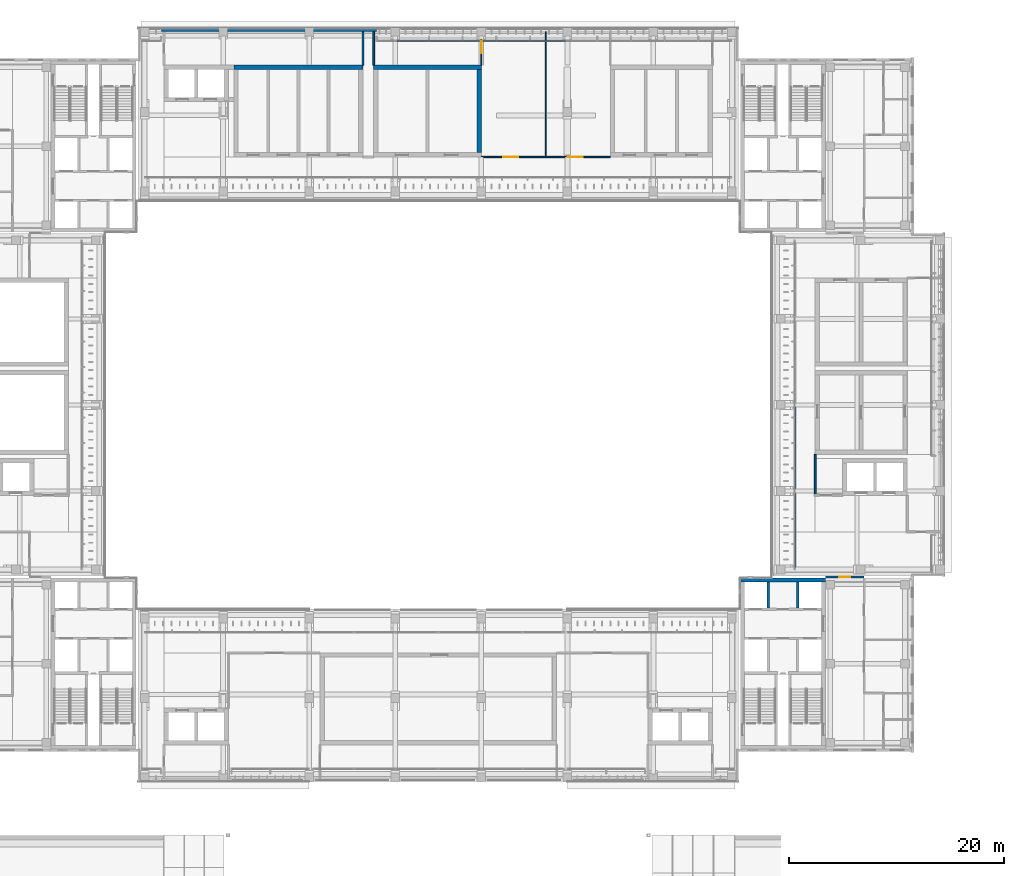
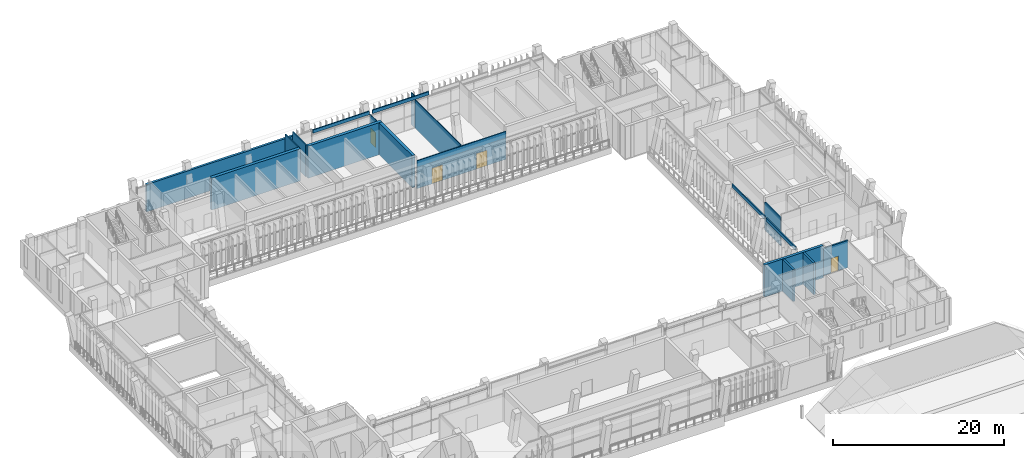
# One storey, part 65 of 89: 19 walls, 4 doors, 4 openings.
"""IFC4 building model written with IfcOpenShell, lengths in metres."""

from ifc_helpers import new_model, si_unit, direction, frame, frame_2d, origin, place, context, subcontext, project, spatial, rectangle, extrude, material, layer, layer_set, type_object, element, fill, save


model = new_model("IFC4")

# Units and contexts
model_context = context("Model", 3, precision=1e-05, world=origin(), true_north=direction((0.0, 1.0)))
body_context = subcontext(model_context, "Body", "Model", "MODEL_VIEW")
ifc_project = project(units=[si_unit("LENGTHUNIT", "METRE"), si_unit("AREAUNIT", "SQUARE_METRE"), si_unit("VOLUMEUNIT", "CUBIC_METRE"), si_unit("PLANEANGLEUNIT", "RADIAN"), si_unit("MASSUNIT", "GRAM", prefix="KILO")], contexts=[model_context])

# Site, building, storey
site_placement = place(None, origin())
site = spatial("IfcSite", under=ifc_project, at=site_placement, CompositionType="ELEMENT")
building_placement = place(site_placement, origin())
building = spatial("IfcBuilding", under=site, at=building_placement, Name="Lantern Court Media Centre", CompositionType="ELEMENT")
storey_placement = place(building_placement, frame((0.0, 0.0, 14.39990234375)))
storey = spatial("IfcBuildingStorey", under=building, at=storey_placement, Name="L03", CompositionType="ELEMENT", Elevation=14.39990234375)

# Wall, openings, doors
ifc_material_1 = material(Name="Gypsum board partition")
ifc_layer_1 = layer(ifc_material_1, 0.125)
ifc_layer_set_1 = layer_set([ifc_layer_1], Name="Gypsum board partition")
wall_type_1 = type_object("IfcWallType", Name="Corridor partition 125", PredefinedType="PARTITIONING", material=ifc_layer_set_1)
wall_1_placement = place(storey_placement, frame((56.0, 103.050048828125, 0.0), z_axis=(0.0, 0.0, 1.0), x_axis=(1.0, 0.0, 0.0)))
wall_1 = element("IfcWall", 1, at=wall_1_placement, inside=storey, type_object=wall_type_1, Name="L03 partition 025", PredefinedType="PARTITIONING", context=body_context, shape_type="SweptSolid", body=[
    extrude(rectangle(XDim=11.9951171875, YDim=0.125, at=frame_2d((5.99755859375, 0.0))), origin(), (0.0, 0.0, 1.0), 3.97998046875),
])
opening_1_placement = place(wall_1_placement, frame((2.02490234375, 0.0, 0.0)))
opening_1 = element("IfcOpeningElement", 2, at=opening_1_placement, cuts=wall_1, Name="Opening L03-019", PredefinedType="OPENING", context=body_context, shape_type="SweptSolid", body=[
    extrude(rectangle(XDim=1.39990234375, YDim=2.199951171875, at=frame_2d((0.699951171875, 1.10009765625))), frame((0.0, 0.072509765625, 0.0), z_axis=(0.0, -1.0, 0.0), x_axis=(1.0, 0.0, 0.0)), (0.0, 0.0, 1.0), 0.14501953125),
])
opening_2_placement = place(wall_1_placement, frame((8.02490234375, 0.0, 0.0)))
opening_2 = element("IfcOpeningElement", 3, at=opening_2_placement, cuts=wall_1, Name="Opening L03-020", PredefinedType="OPENING", context=body_context, shape_type="SweptSolid", body=[
    extrude(rectangle(XDim=1.39990234375, YDim=2.199951171875, at=frame_2d((0.699951171875, 1.10009765625))), frame((0.0, 0.072509765625, 0.0), z_axis=(0.0, -1.0, 0.0), x_axis=(1.0, 0.0, 0.0)), (0.0, 0.0, 1.0), 0.14501953125),
])
ifc_material_2 = material(Name="Solid-core timber door leaf", Category="wood")
door_type_1 = type_object("IfcDoorType", Name="Double door 1400x2200", OperationType="NOTDEFINED", PredefinedType="DOOR", material=ifc_material_2)
door_1_placement = place(opening_1_placement, origin())
door_1 = element("IfcDoor", 4, at=door_1_placement, inside=storey, type_object=door_type_1, Name="L03 Production Office 03 door", OperationType="DOUBLE_DOOR_SINGLE_SWING", OverallHeight=2.199951171875, OverallWidth=1.39990234375, PredefinedType="DOOR", context=body_context, shape_type="SweptSolid", body=[
    extrude(rectangle(XDim=1.39990234375, YDim=2.199951171875, at=frame_2d((0.699951171875, 1.10009765625))), frame((0.0, 0.02490234375, 0.0), z_axis=(0.0, -1.0, 0.0), x_axis=(1.0, 0.0, 0.0)), (0.0, 0.0, 1.0), 0.050048828125),
])
fill(opening_1, door_1)
door_2_placement = place(opening_2_placement, origin())
door_2 = element("IfcDoor", 5, at=door_2_placement, inside=storey, type_object=door_type_1, Name="L03 Production Office 04 door", OperationType="DOUBLE_DOOR_SINGLE_SWING", OverallHeight=2.199951171875, OverallWidth=1.39990234375, PredefinedType="DOOR", context=body_context, shape_type="SweptSolid", body=[
    extrude(rectangle(XDim=1.39990234375, YDim=2.199951171875, at=frame_2d((0.699951171875, 1.10009765625))), frame((0.0, 0.02490234375, 0.0), z_axis=(0.0, -1.0, 0.0), x_axis=(1.0, 0.0, 0.0)), (0.0, 0.0, 1.0), 0.050048828125),
])
fill(opening_2, door_2)

# Walls
ifc_material_3 = material(Name="Insulated rendered blockwork", Category="masonry")
ifc_layer_2 = layer(ifc_material_3, 0.14990234375)
ifc_layer_set_2 = layer_set([ifc_layer_2], Name="Insulated rendered blockwork")
wall_type_2 = type_object("IfcWallType", Name="Head infill wall 150", PredefinedType="SOLIDWALL", material=ifc_layer_set_2)
for number, where, z_axis, x_axis, name in (
    (6, (48.199951171875, 113.85009765625, 4.10009765625), (0.0, 0.0, 1.0), (1.0, 0.0, 0.0), "Head infill wall N outer L03"),
    (7, (56.199951171875, 113.85009765625, 4.10009765625), (0.0, 0.0, 1.0), (1.0, 0.0, 0.0), "Head infill wall N outer L03"),
):
    element("IfcWall", number, at=place(storey_placement, frame(where, z_axis=z_axis, x_axis=x_axis)), inside=storey, type_object=wall_type_2, Name=name, PredefinedType="SOLIDWALL", context=body_context, shape_type="SweptSolid", body=[
        extrude(rectangle(XDim=7.60009765625, YDim=0.14990234375, at=frame_2d((3.800048828125, 0.0))), origin(), (0.0, 0.0, 1.0), 0.47998046875),
    ])
wall_2_placement = place(storey_placement, frame((85.14990234375, 64.89990234375, 4.10009765625), z_axis=(0.0, 0.0, 1.0), x_axis=(0.0, 1.0, 0.0)))
element("IfcWall", 8, at=wall_2_placement, inside=storey, type_object=wall_type_2, Name="Head infill wall E inner L03", PredefinedType="SOLIDWALL", context=body_context, shape_type="SweptSolid", body=[
    extrude(rectangle(XDim=6.900146484375, YDim=0.14990234375, at=frame_2d((3.4501953125, 0.0))), origin(), (0.0, 0.0, 1.0), 0.47998046875),
])
wall_3_placement = place(storey_placement, frame((85.14990234375, 72.199951171875, 4.10009765625), z_axis=(0.0, 0.0, 1.0), x_axis=(0.0, 1.0, 0.0)))
element("IfcWall", 9, at=wall_3_placement, inside=storey, type_object=wall_type_2, Name="Head infill wall E inner L03", PredefinedType="SOLIDWALL", context=body_context, shape_type="SweptSolid", body=[
    extrude(rectangle(XDim=7.60009765625, YDim=0.14990234375, at=frame_2d((3.800048828125, 0.0))), origin(), (0.0, 0.0, 1.0), 0.47998046875),
])
ifc_material_4 = material(Name="Honed limestone cladding on blockwork", Category="masonry")
ifc_layer_3 = layer(ifc_material_4, 0.300048828125)
ifc_layer_set_3 = layer_set([ifc_layer_3], Name="Honed limestone cladding on blockwork")
wall_type_3 = type_object("IfcWallType", Name="Limestone flank wall 300", PredefinedType="SOLIDWALL", material=ifc_layer_set_3)
wall_4_placement = place(storey_placement, frame((26.25, 114.85009765625, 0.0), z_axis=(0.0, 0.0, 1.0), x_axis=(1.0, 0.0, 0.0)))
element("IfcWall", 10, at=wall_4_placement, inside=storey, type_object=wall_type_3, Name="Limestone flank wall N outer L03", PredefinedType="SOLIDWALL", context=body_context, shape_type="SweptSolid", body=[
    extrude(rectangle(XDim=20.0, YDim=0.300048828125, at=frame_2d((10.0, 0.0))), origin(), (0.0, 0.0, 1.0), 3.900146484375),
])

# Wall, opening, door
ifc_material_5 = material(Name="Fire-rated gypsum board")
ifc_layer_4 = layer(ifc_material_5, 0.199951171875)
ifc_layer_set_4 = layer_set([ifc_layer_4], Name="Fire-rated gypsum board")
wall_type_4 = type_object("IfcWallType", Name="Movement-joint compartment wall 200", PredefinedType="PARTITIONING", material=ifc_layer_set_4)
wall_5_placement = place(storey_placement, frame((88.0, 64.0, 0.0), z_axis=(0.0, 0.0, 1.0), x_axis=(1.0, 0.0, 0.0)))
wall_5 = element("IfcWall", 11, at=wall_5_placement, inside=storey, type_object=wall_type_4, Name="L03 movement-joint wall 13", PredefinedType="PARTITIONING", context=body_context, shape_type="SweptSolid", body=[
    extrude(rectangle(XDim=3.60009765625, YDim=0.199951171875, at=frame_2d((1.800048828125, 0.0))), origin(), (0.0, 0.0, 1.0), 3.880126953125),
])
opening_3_placement = place(wall_5_placement, frame((1.300048828125, 0.0, 0.0)))
opening_3 = element("IfcOpeningElement", 12, at=opening_3_placement, cuts=wall_5, Name="Opening L03-J13", PredefinedType="OPENING", context=body_context, shape_type="SweptSolid", body=[
    extrude(rectangle(XDim=1.0, YDim=2.10009765625, at=frame_2d((0.5, 1.050048828125))), frame((0.0, 0.10986328125, 0.0), z_axis=(0.0, -1.0, 0.0), x_axis=(1.0, 0.0, 0.0)), (0.0, 0.0, 1.0), 0.219970703125),
])
ifc_material_6 = material(Name="Steel door leaf", Category="steel")
door_type_2 = type_object("IfcDoorType", Name="Movement-joint fire door 1000x2100", OperationType="NOTDEFINED", PredefinedType="DOOR", material=ifc_material_6)
door_3_placement = place(opening_3_placement, frame((1.0, 0.0, 0.0), z_axis=(0.0, 0.0, 1.0), x_axis=(-1.0, 0.0, 0.0)))
door_3 = element("IfcDoor", 13, at=door_3_placement, inside=storey, type_object=door_type_2, Name="L03 bar end lobby door 13", OperationType="SINGLE_SWING_LEFT", OverallHeight=2.10009765625, OverallWidth=1.0, PredefinedType="DOOR", context=body_context, shape_type="SweptSolid", body=[
    extrude(rectangle(XDim=1.0, YDim=2.10009765625, at=frame_2d((0.5, 1.050048828125))), frame((0.0, 0.02490234375, 0.0), z_axis=(0.0, -1.0, 0.0), x_axis=(1.0, 0.0, 0.0)), (0.0, 0.0, 1.0), 0.050048828125),
])
fill(opening_3, door_3)

ifc_layer_5 = layer(ifc_material_1, 0.10009765625)
ifc_layer_set_5 = layer_set([ifc_layer_5], Name="Gypsum board partition")
wall_type_5 = type_object("IfcWallType", Name="Partition 100", PredefinedType="PARTITIONING", material=ifc_layer_set_5)
wall_6_placement = place(storey_placement, frame((56.0, 111.60498046875, 0.0), z_axis=(0.0, 0.0, 1.0), x_axis=(0.0, 1.0, 0.0)))
wall_6 = element("IfcWall", 14, at=wall_6_placement, inside=storey, type_object=wall_type_5, Name="L03 partition 019", PredefinedType="PARTITIONING", context=body_context, shape_type="SweptSolid", body=[
    extrude(rectangle(XDim=2.39013671875, YDim=0.10009765625, at=frame_2d((1.195068359375, 0.0))), origin(), (0.0, 0.0, 1.0), 3.97998046875),
])
opening_4_placement = place(wall_6_placement, frame((1.087890625, 0.0, 0.0)))
opening_4 = element("IfcOpeningElement", 15, at=opening_4_placement, cuts=wall_6, Name="Opening L03-014", PredefinedType="OPENING", context=body_context, shape_type="SweptSolid", body=[
    extrude(rectangle(XDim=1.14990234375, YDim=2.10009765625, at=frame_2d((0.574951171875, 1.050048828125))), frame((0.0, 0.06005859375, 0.0), z_axis=(0.0, -1.0, 0.0), x_axis=(1.0, 0.0, 0.0)), (0.0, 0.0, 1.0), 0.1201171875),
])
door_type_3 = type_object("IfcDoorType", Name="Single door 1150x2100", OperationType="NOTDEFINED", PredefinedType="DOOR", material=ifc_material_2)
door_4_placement = place(opening_4_placement, origin())
door_4 = element("IfcDoor", 16, at=door_4_placement, inside=storey, type_object=door_type_3, Name="L03 Production Office 01 door", OperationType="SINGLE_SWING_LEFT", OverallHeight=2.10009765625, OverallWidth=1.14990234375, PredefinedType="DOOR", context=body_context, shape_type="SweptSolid", body=[
    extrude(rectangle(XDim=1.14990234375, YDim=2.10009765625, at=frame_2d((0.574951171875, 1.050048828125))), frame((0.0, 0.02490234375, 0.0), z_axis=(0.0, -1.0, 0.0), x_axis=(1.0, 0.0, 0.0)), (0.0, 0.0, 1.0), 0.050048828125),
])
fill(opening_4, door_4)

# Walls
wall_7_placement = place(storey_placement, frame((62.0, 103.112548828125, 0.0), z_axis=(0.0, 0.0, 1.0), x_axis=(0.0, 1.0, 0.0)))
element("IfcWall", 17, at=wall_7_placement, inside=storey, type_object=wall_type_5, Name="L03 partition 026", PredefinedType="PARTITIONING", context=body_context, shape_type="SweptSolid", body=[
    extrude(rectangle(XDim=10.657470703125, YDim=0.10009765625, at=frame_2d((5.32861328125, 0.0))), origin(), (0.0, 0.0, 1.0), 4.080078125),
])
wall_8_placement = place(storey_placement, frame((62.0, 113.929931640625, 0.0), z_axis=(0.0, 0.0, 1.0), x_axis=(0.0, 1.0, 0.0)))
element("IfcWall", 18, at=wall_8_placement, inside=storey, type_object=wall_type_5, Name="L03 partition 027", PredefinedType="PARTITIONING", context=body_context, shape_type="SweptSolid", body=[
    extrude(rectangle(XDim=0.77001953125, YDim=0.10009765625, at=frame_2d((0.385009765625, 0.0))), origin(), (0.0, 0.0, 1.0), 4.56005859375),
])
ifc_material_7 = material(Name="Concrete blockwork C20", Category="masonry")
ifc_layer_6 = layer(ifc_material_7, 0.14990234375)
ifc_layer_set_6 = layer_set([ifc_layer_6], Name="Concrete blockwork C20")
wall_type_6 = type_object("IfcWallType", Name="Partition 150 masonry", PredefinedType="PARTITIONING", material=ifc_layer_set_6)
wall_9_placement = place(storey_placement, frame((87.050048828125, 71.675048828125, 0.0), z_axis=(0.0, 0.0, 1.0), x_axis=(0.0, 1.0, 0.0)))
element("IfcWall", 19, at=wall_9_placement, inside=storey, type_object=wall_type_6, Name="L03 partition 043", PredefinedType="PARTITIONING", context=body_context, shape_type="SweptSolid", body=[
    extrude(rectangle(XDim=3.724853515625, YDim=0.14990234375, at=frame_2d((1.8623046875, 0.0))), origin(), (0.0, 0.0, 1.0), 3.97998046875),
])
ifc_material_8 = material(Name="Concrete C40", Category="concrete")
ifc_layer_7 = layer(ifc_material_8, 0.35009765625)
ifc_layer_set_7 = layer_set([ifc_layer_7], Name="Concrete C40")
wall_type_7 = type_object("IfcWallType", Name="RC CORE WALL 350", PredefinedType="SHEAR", material=ifc_layer_set_7)
wall_10_placement = place(storey_placement, frame((80.10009765625, 63.72509765625, 0.0), z_axis=(0.0, 0.0, 1.0), x_axis=(1.0, 0.0, 0.0)))
element("IfcWall", 20, at=wall_10_placement, inside=storey, type_object=wall_type_7, Name="WC-SE-L03-N", PredefinedType="SHEAR", context=body_context, shape_type="SweptSolid", body=[
    extrude(rectangle(XDim=7.949951171875, YDim=0.35009765625, at=frame_2d((3.97509765625, 0.0))), origin(), (0.0, 0.0, 1.0), 4.580078125),
])
ifc_layer_8 = layer(ifc_material_8, 0.39990234375)
ifc_layer_set_8 = layer_set([ifc_layer_8], Name="Concrete C40")
wall_type_8 = type_object("IfcWallType", Name="RC SHEAR WALL 400", PredefinedType="SHEAR", material=ifc_layer_set_8)
wall_11_placement = place(storey_placement, frame((33.0, 111.39990234375, 0.0), z_axis=(0.0, 0.0, 1.0), x_axis=(1.0, 0.0, 0.0)))
element("IfcWall", 21, at=wall_11_placement, inside=storey, type_object=wall_type_8, Name="WB-N-EDA-L03-N", PredefinedType="SHEAR", context=body_context, shape_type="SweptSolid", body=[
    extrude(rectangle(XDim=12.0, YDim=0.39990234375, at=frame_2d((6.0, 0.0))), origin(), (0.0, 0.0, 1.0), 4.580078125),
])
wall_12_placement = place(storey_placement, frame((46.0, 111.39990234375, 0.0), z_axis=(0.0, 0.0, 1.0), x_axis=(1.0, 0.0, 0.0)))
element("IfcWall", 22, at=wall_12_placement, inside=storey, type_object=wall_type_8, Name="WB-N-MIX-L03-N", PredefinedType="SHEAR", context=body_context, shape_type="SweptSolid", body=[
    extrude(rectangle(XDim=10.0, YDim=0.39990234375, at=frame_2d((5.0, 0.0))), origin(), (0.0, 0.0, 1.0), 4.580078125),
])
wall_13_placement = place(storey_placement, frame((55.800048828125, 103.449951171875, 0.0), z_axis=(0.0, 0.0, 1.0), x_axis=(0.0, 1.0, 0.0)))
element("IfcWall", 23, at=wall_13_placement, inside=storey, type_object=wall_type_8, Name="WB-N-MIX-L03-E", PredefinedType="SHEAR", context=body_context, shape_type="SweptSolid", body=[
    extrude(rectangle(XDim=7.75, YDim=0.39990234375, at=frame_2d((3.875, 0.0))), origin(), (0.0, 0.0, 1.0), 4.580078125),
])
ifc_layer_9 = layer(ifc_material_8, 0.25)
ifc_layer_set_9 = layer_set([ifc_layer_9], Name="Concrete C40")
wall_type_9 = type_object("IfcWallType", Name="RC lift shaft wall 250", PredefinedType="SOLIDWALL", material=ifc_layer_set_9)
for number, where, z_axis, x_axis, name in (
    (24, (85.425048828125, 61.10009765625, 0.0), (0.0, 0.0, 1.0), (0.0, 1.0, 0.0), "L03 SE L1b"),
    (25, (82.675048828125, 61.10009765625, 0.0), (0.0, 0.0, 1.0), (0.0, 1.0, 0.0), "L03 SE L2b"),
):
    element("IfcWall", number, at=place(storey_placement, frame(where, z_axis=z_axis, x_axis=x_axis)), inside=storey, type_object=wall_type_9, Name=name, PredefinedType="SOLIDWALL", context=body_context, shape_type="SweptSolid", body=[
        extrude(rectangle(XDim=2.449951171875, YDim=0.25, at=frame_2d((1.22509765625, 0.0))), origin(), (0.0, 0.0, 1.0), 4.550048828125),
    ])
ifc_layer_10 = layer(ifc_material_5, 0.159912109375)
ifc_layer_set_10 = layer_set([ifc_layer_10], Name="Fire-rated gypsum board")
wall_type_10 = type_object("IfcWallType", Name="Riser shaft liner wall 160", PredefinedType="PARTITIONING", material=ifc_layer_set_10)
for number, where, z_axis, x_axis, name in (
    (26, (45.0, 111.60498046875, 0.0), (0.0, 0.0, 1.0), (0.0, 1.0, 0.0), "L03 partition 016"),
    (27, (46.0, 111.60498046875, 0.0), (0.0, 0.0, 1.0), (0.0, 1.0, 0.0), "L03 partition 018"),
):
    element("IfcWall", number, at=place(storey_placement, frame(where, z_axis=z_axis, x_axis=x_axis)), inside=storey, type_object=wall_type_10, Name=name, PredefinedType="PARTITIONING", context=body_context, shape_type="SweptSolid", body=[
        extrude(rectangle(XDim=3.090087890625, YDim=0.159912109375, at=frame_2d((1.544921875, 0.0))), origin(), (0.0, 0.0, 1.0), 4.56005859375),
    ])

save(model, "model.ifc")
